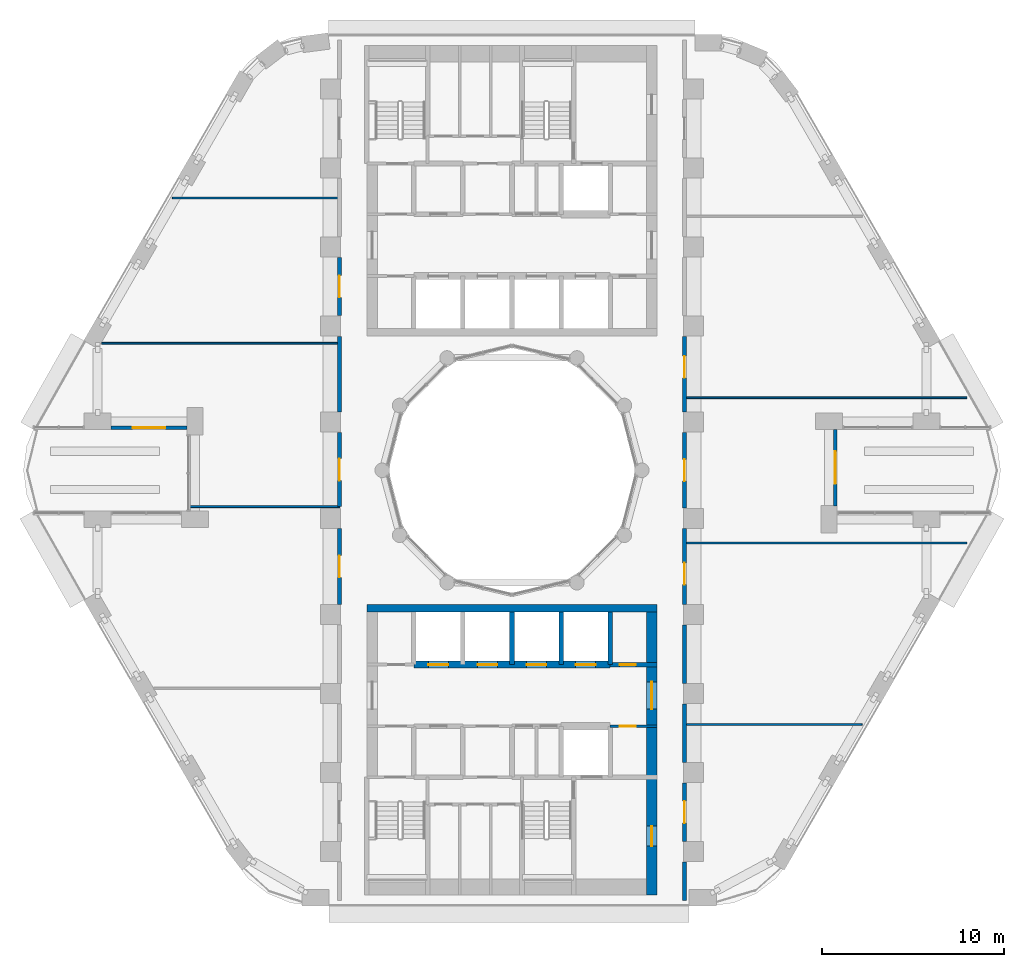
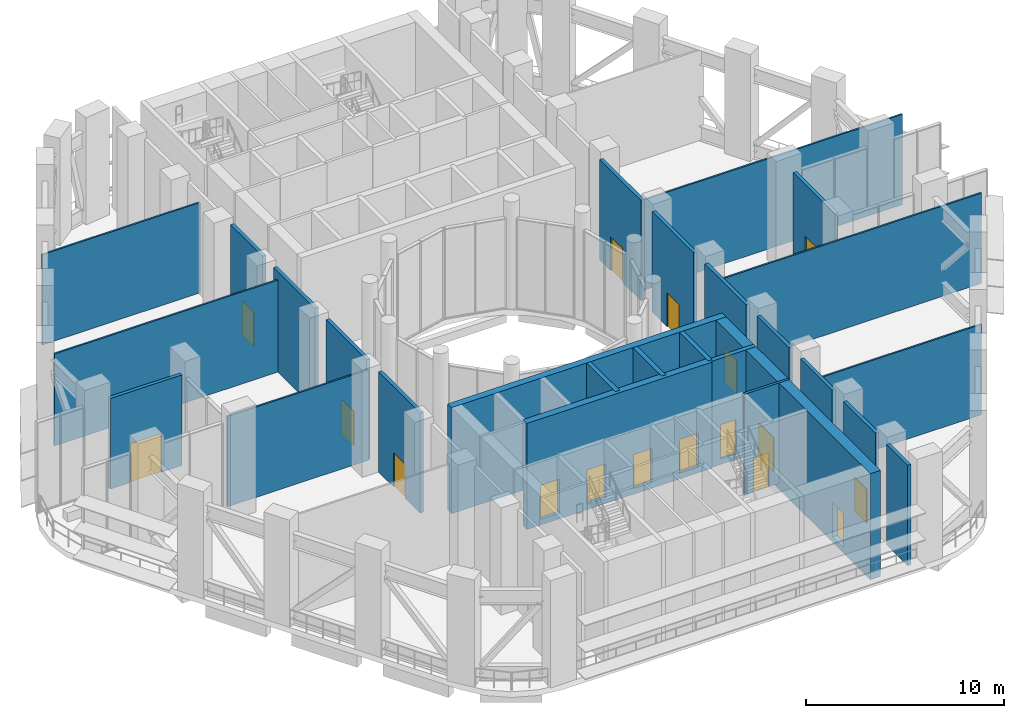
# One storey, part 9 of 20: 27 walls, 17 doors, 17 openings.
"""IFC4 building model written with IfcOpenShell, lengths in metres."""

import ifcopenshell
import ifcopenshell.guid

model = None  # the IFC model being written
_history = None  # IfcOwnerHistory: only IFC2X3 demands one
_inside = {}  # id of a spatial element -> (the spatial element, [elements in it])
_under = {}  # id of a project, library or spatial element -> (it, [spatial elements below it])
_declared = {}  # id of a project -> (the project, [libraries it declares])
_typed = {}  # id of a type object -> (the type object, [elements of that type])
_made_of = {}  # id of a material, layer set ... -> (it, [elements and type objects made of it])


def new_model(schema):
    """Start an empty IFC model of exactly this schema.

    Asked for "IFC4X3", IfcOpenShell would pick the latest addendum, in which some entities
    have other attributes; the version numbers below select the first issue.
    IFC2X3 requires an IfcOwnerHistory on every rooted entity: one is made here for all.
    """
    global model, _history
    if schema == "IFC4X3":
        model = ifcopenshell.file(schema_version=(4, 3, 0, 0))
    else:
        model = ifcopenshell.file(schema=schema)
    _inside.clear()
    _under.clear()
    _declared.clear()
    _typed.clear()
    _made_of.clear()
    _history = None
    if model.schema == "IFC2X3":
        org = make("IfcOrganization", Name="unknown")
        user = make(
            "IfcPersonAndOrganization",
            ThePerson=make("IfcPerson", FamilyName="unknown"),
            TheOrganization=org,
        )
        app = make(
            "IfcApplication",
            ApplicationDeveloper=org,
            Version="unknown",
            ApplicationFullName="unknown",
            ApplicationIdentifier="unknown",
        )
        _history = make(
            "IfcOwnerHistory",
            OwningUser=user,
            OwningApplication=app,
            ChangeAction="ADDED",
            CreationDate=0,
        )
    return model


def make(cls, **values):
    """One entity of the class cls with the attributes given. An attribute that is None is left unset."""
    return model.create_entity(
        cls, **{name: value for name, value in values.items() if value is not None}
    )


def rooted(cls, **values):
    """An entity with a GlobalId (a new one), such as an element, a storey or a relation."""
    return make(cls, GlobalId=ifcopenshell.guid.new(), OwnerHistory=_history, **values)


def si_unit(unit_type, name, prefix=None):
    """IfcSIUnit, for example si_unit("LENGTHUNIT", "METRE", prefix="MILLI")."""
    return make("IfcSIUnit", UnitType=unit_type, Prefix=prefix, Name=name)


def assignment(units):
    """IfcUnitAssignment: the units of a project."""
    return None if units is None else make("IfcUnitAssignment", Units=units)


def point(xyz):
    """IfcCartesianPoint."""
    return None if xyz is None else make("IfcCartesianPoint", Coordinates=xyz)


def direction(xyz):
    """IfcDirection."""
    return None if xyz is None else make("IfcDirection", DirectionRatios=xyz)


def frame(location, z_axis=None, x_axis=None):
    """IfcAxis2Placement3D, a coordinate frame: its origin and axes. An axis left out is left unset."""
    return make(
        "IfcAxis2Placement3D",
        Location=point(location),
        Axis=direction(z_axis),
        RefDirection=direction(x_axis),
    )


def frame_2d(location, x_axis=None):
    """IfcAxis2Placement2D, a coordinate frame in the plane: its origin and x axis."""
    return make(
        "IfcAxis2Placement2D", Location=point(location), RefDirection=direction(x_axis)
    )


def origin():
    """The frame at (0, 0, 0) with its axes left unset."""
    return frame((0.0, 0.0, 0.0))


def place(relative_to, where):
    """IfcLocalPlacement: puts the frame where relative to a parent placement (None: the world)."""
    return make(
        "IfcLocalPlacement", PlacementRelTo=relative_to, RelativePlacement=where
    )


def context(
    kind, dimensions, precision=None, world=None, true_north=None, identifier=None
):
    """IfcGeometricRepresentationContext, for example the 3D "Model" context."""
    return make(
        "IfcGeometricRepresentationContext",
        ContextIdentifier=identifier,
        ContextType=kind,
        CoordinateSpaceDimension=dimensions,
        Precision=precision,
        WorldCoordinateSystem=world,
        TrueNorth=true_north,
    )


def subcontext(parent, identifier, kind, view, scale=None):
    """IfcGeometricRepresentationSubContext, for example "Body" below "Model"."""
    return make(
        "IfcGeometricRepresentationSubContext",
        ContextIdentifier=identifier,
        ContextType=kind,
        ParentContext=parent,
        TargetScale=scale,
        TargetView=view,
    )


def project(units=None, contexts=None):
    """IfcProject with its units and contexts."""
    return rooted(
        "IfcProject",
        Name="project",
        RepresentationContexts=contexts,
        UnitsInContext=assignment(units),
    )


def spatial(cls, under=None, at=None, **own):
    """A site, building, storey or space (cls), placed at a placement, below another one or the project."""
    s = rooted(cls, ObjectPlacement=at, **own)
    if under is not None:
        _under.setdefault(under.id(), (under, []))[1].append(s)
    return s


def profile(cls, at=None, kind="AREA", **sizes):
    """A parametric profile (cls). Its sizes go by their IFC names, for example OverallWidth=200.0."""
    return make(cls, ProfileType=kind, Position=at, **sizes)


def rectangle(**sizes):
    """IfcRectangleProfileDef."""
    return profile("IfcRectangleProfileDef", **sizes)


def extrude(swept, where, along, depth):
    """IfcExtrudedAreaSolid: the profile swept, set in the frame where, extruded along a direction by depth."""
    return make(
        "IfcExtrudedAreaSolid",
        SweptArea=swept,
        Position=where,
        ExtrudedDirection=direction(along),
        Depth=depth,
    )


def shape(context_of_items, identifier, shape_type, items):
    """IfcShapeRepresentation: the items that make up one representation, for example the "Body"."""
    return make(
        "IfcShapeRepresentation",
        ContextOfItems=context_of_items,
        RepresentationIdentifier=identifier,
        RepresentationType=shape_type,
        Items=items,
    )


def material(Name=None, Category=None):
    """IfcMaterial."""
    return make("IfcMaterial", Name=Name, Category=Category)


def layer(
    of_material, thickness, ventilated=None, Name=None, Category=None, Priority=None
):
    """IfcMaterialLayer: one layer of a wall or slab, of a material (None: an air gap)."""
    return make(
        "IfcMaterialLayer",
        Material=of_material,
        LayerThickness=thickness,
        IsVentilated=ventilated,
        Name=Name,
        Category=Category,
        Priority=Priority,
    )


def layer_set(layers, Name=None):
    """IfcMaterialLayerSet."""
    return make("IfcMaterialLayerSet", MaterialLayers=layers, LayerSetName=Name)


def made_of(thing, what):
    """Note that an element or type object is made of a material, layer set ...; save() writes the relation."""
    if what is not None:
        _made_of.setdefault(what.id(), (what, []))[1].append(thing)
    return thing


def type_object(cls, material=None, **own):
    """A type object (cls), such as IfcWallType, which elements share."""
    return made_of(rooted(cls, **own), material)


def element(
    cls,
    number,
    at=None,
    inside=None,
    cuts=None,
    type_object=None,
    material=None,
    context=None,
    identifier="Body",
    shape_type=None,
    held_by="IfcProductDefinitionShape",
    body=None,
    shapes=None,
    **own,
):
    """One element of the class cls, such as IfcWall. Its Tag is "e" and its number.

    at: its placement. inside: the storey or other place that contains it. cuts: it is an
    opening in that element (IfcRelVoidsElement). A single representation is given by context,
    identifier, shape_type and body (its items); several are given by shapes. held_by: the class
    of the entity that holds the representations. save() writes the other relations.
    """
    e = rooted(cls, Tag="e%d" % number, ObjectPlacement=at, **own)
    if body is not None:
        shapes = [shape(context, identifier, shape_type, body)]
    if shapes is not None:
        e.Representation = make(held_by, Representations=shapes)
    if inside is not None:
        _inside.setdefault(inside.id(), (inside, []))[1].append(e)
    if cuts is not None:
        rooted(
            "IfcRelVoidsElement", RelatingBuildingElement=cuts, RelatedOpeningElement=e
        )
    if type_object is not None:
        _typed.setdefault(type_object.id(), (type_object, []))[1].append(e)
    return made_of(e, material)


def fill(opening, filler):
    """IfcRelFillsElement: the door or window that sits in an opening."""
    return rooted(
        "IfcRelFillsElement",
        RelatingOpeningElement=opening,
        RelatedBuildingElement=filler,
    )


def aggregate(whole, parts):
    """IfcRelAggregates: a whole, such as a stair, and the parts it consists of."""
    return rooted("IfcRelAggregates", RelatingObject=whole, RelatedObjects=parts)


def save(model, path):
    """Write the relations noted so far, then the file.

    IfcRelAggregates (storeys below a building ...), IfcRelContainedInSpatialStructure (elements
    in a storey), IfcRelDefinesByType, IfcRelAssociatesMaterial and IfcRelDeclares: one each for
    every whole, place, type object, material and project.
    """
    for whole, parts in _under.values():
        aggregate(whole, parts)
    for where, things in _inside.values():
        rooted(
            "IfcRelContainedInSpatialStructure",
            RelatedElements=things,
            RelatingStructure=where,
        )
    for kind, things in _typed.values():
        rooted("IfcRelDefinesByType", RelatedObjects=things, RelatingType=kind)
    for what, things in _made_of.values():
        rooted("IfcRelAssociatesMaterial", RelatedObjects=things, RelatingMaterial=what)
    for by, libraries in _declared.values():
        rooted("IfcRelDeclares", RelatingContext=by, RelatedDefinitions=libraries)
    model.write(path)


model = new_model("IFC4")

# Units and contexts
model_context = context("Model", 3, precision=1e-05, world=origin(), true_north=direction((0.0, 1.0)))
body_context = subcontext(model_context, "Body", "Model", "MODEL_VIEW")
ifc_project = project(units=[si_unit("LENGTHUNIT", "METRE"), si_unit("AREAUNIT", "SQUARE_METRE"), si_unit("VOLUMEUNIT", "CUBIC_METRE"), si_unit("PLANEANGLEUNIT", "RADIAN"), si_unit("MASSUNIT", "GRAM", prefix="KILO")], contexts=[model_context])

# Site, building, storey
site_placement = place(None, origin())
site = spatial("IfcSite", under=ifc_project, at=site_placement, CompositionType="ELEMENT")
building_placement = place(site_placement, origin())
building = spatial("IfcBuilding", under=site, at=building_placement, Name="Nakaniwa Court", CompositionType="ELEMENT")
storey_placement = place(building_placement, frame((0.0, 0.0, 71.10009765625)))
storey = spatial("IfcBuildingStorey", under=building, at=storey_placement, Name="S1", CompositionType="ELEMENT", Elevation=71.10009765625)

# Wall
ifc_material_1 = material(Name="Acoustic double stud partition")
ifc_layer_1 = layer(ifc_material_1, 0.199951171875)
ifc_layer_set_1 = layer_set([ifc_layer_1], Name="Acoustic double stud partition")
wall_type_1 = type_object("IfcWallType", Name="Acoustic double stud partition 200", PredefinedType="PARTITIONING", material=ifc_layer_set_1)
wall_1_placement = place(storey_placement, frame((89.5, 56.300048828125, 0.0), z_axis=(0.0, 0.0, 1.0), x_axis=(0.0, 1.0, 0.0)))
element("IfcWall", 1, at=wall_1_placement, inside=storey, type_object=wall_type_1, Name="Partition PW-071", PredefinedType="PARTITIONING", context=body_context, shape_type="SweptSolid", body=[
    extrude(rectangle(XDim=2.133056640625, YDim=0.199951171875, at=frame_2d((1.06640625, 0.0))), origin(), (0.0, 0.0, 1.0), 6.18994140625),
])

# Wall, opening, door
wall_2_placement = place(storey_placement, frame((89.5, 62.782958984375, 0.0), z_axis=(0.0, 0.0, 1.0), x_axis=(0.0, -1.0, 0.0)))
wall_2 = element("IfcWall", 2, at=wall_2_placement, inside=storey, type_object=wall_type_1, Name="Partition PW-072", PredefinedType="PARTITIONING", context=body_context, shape_type="SweptSolid", body=[
    extrude(rectangle(XDim=3.216064453125, YDim=0.199951171875, at=frame_2d((1.60791015625, 0.0))), origin(), (0.0, 0.0, 1.0), 6.18994140625),
])
opening_1_placement = place(wall_2_placement, frame((1.008056640625, 0.0, 0.0)))
opening_1 = element("IfcOpeningElement", 3, at=opening_1_placement, cuts=wall_2, Name="Opening D-35-01", PredefinedType="OPENING", context=body_context, shape_type="SweptSolid", body=[
    extrude(rectangle(XDim=1.199951171875, YDim=2.10009765625, at=frame_2d((0.60009765625, 1.050048828125))), frame((0.0, 0.10986328125, 0.0), z_axis=(0.0, -1.0, 0.0), x_axis=(1.0, 0.0, 0.0)), (0.0, 0.0, 1.0), 0.219970703125),
])
ifc_material_2 = material(Name="Fire rated steel door set", Category="steel")
door_type_1 = type_object("IfcDoorType", Name="Service room door 1200", OperationType="NOTDEFINED", PredefinedType="DOOR", material=ifc_material_2)
door_1_placement = place(opening_1_placement, origin())
door_1 = element("IfcDoor", 4, at=door_1_placement, inside=storey, type_object=door_type_1, Name="Door D-35-01 S1-029", OperationType="SINGLE_SWING_RIGHT", OverallHeight=2.10009765625, OverallWidth=1.199951171875, PredefinedType="DOOR", context=body_context, shape_type="SweptSolid", body=[
    extrude(rectangle(XDim=1.199951171875, YDim=2.10009765625, at=frame_2d((0.60009765625, 1.050048828125))), frame((0.0, 0.02490234375, 0.0), z_axis=(0.0, -1.0, 0.0), x_axis=(1.0, 0.0, 0.0)), (0.0, 0.0, 1.0), 0.050048828125),
])
fill(opening_1, door_1)

# Walls
wall_3_placement = place(storey_placement, frame((89.5, 63.9169921875, 0.0), z_axis=(0.0, 0.0, 1.0), x_axis=(0.0, 1.0, 0.0)))
element("IfcWall", 5, at=wall_3_placement, inside=storey, type_object=wall_type_1, Name="Partition PW-073", PredefinedType="PARTITIONING", context=body_context, shape_type="SweptSolid", body=[
    extrude(rectangle(XDim=3.216064453125, YDim=0.199951171875, at=frame_2d((1.60791015625, 0.0))), origin(), (0.0, 0.0, 1.0), 6.18994140625),
])
wall_4_placement = place(storey_placement, frame((89.5, 68.26708984375, 0.0), z_axis=(0.0, 0.0, 1.0), x_axis=(0.0, 1.0, 0.0)))
element("IfcWall", 6, at=wall_4_placement, inside=storey, type_object=wall_type_1, Name="Partition PW-074", PredefinedType="PARTITIONING", context=body_context, shape_type="SweptSolid", body=[
    extrude(rectangle(XDim=3.2158203125, YDim=0.199951171875, at=frame_2d((1.60791015625, 0.0))), origin(), (0.0, 0.0, 1.0), 6.18994140625),
])

# Wall, opening, door
wall_5_placement = place(storey_placement, frame((89.5, 76.782958984375, 0.0), z_axis=(0.0, 0.0, 1.0), x_axis=(0.0, -1.0, 0.0)))
wall_5 = element("IfcWall", 7, at=wall_5_placement, inside=storey, type_object=wall_type_1, Name="Partition PW-075", PredefinedType="PARTITIONING", context=body_context, shape_type="SweptSolid", body=[
    extrude(rectangle(XDim=4.166015625, YDim=0.199951171875, at=frame_2d((2.0830078125, 0.0))), origin(), (0.0, 0.0, 1.0), 6.18994140625),
])
opening_2_placement = place(wall_5_placement, frame((1.873046875, 0.0, 0.0)))
opening_2 = element("IfcOpeningElement", 8, at=opening_2_placement, cuts=wall_5, Name="Opening D-30-01", PredefinedType="OPENING", context=body_context, shape_type="SweptSolid", body=[
    extrude(rectangle(XDim=1.199951171875, YDim=2.10009765625, at=frame_2d((0.60009765625, 1.050048828125))), frame((0.0, 0.10986328125, 0.0), z_axis=(0.0, -1.0, 0.0), x_axis=(1.0, 0.0, 0.0)), (0.0, 0.0, 1.0), 0.219970703125),
])
ifc_material_3 = material(Name="Solid core timber door set, black veneer", Category="wood")
door_type_2 = type_object("IfcDoorType", Name="Internal door 1200", OperationType="NOTDEFINED", PredefinedType="DOOR", material=ifc_material_3)
door_2_placement = place(opening_2_placement, origin())
door_2 = element("IfcDoor", 9, at=door_2_placement, inside=storey, type_object=door_type_2, Name="Door D-30-01 S1-030", OperationType="SINGLE_SWING_LEFT", OverallHeight=2.10009765625, OverallWidth=1.199951171875, PredefinedType="DOOR", context=body_context, shape_type="SweptSolid", body=[
    extrude(rectangle(XDim=1.199951171875, YDim=2.10009765625, at=frame_2d((0.60009765625, 1.050048828125))), frame((0.0, 0.02490234375, 0.0), z_axis=(0.0, -1.0, 0.0), x_axis=(1.0, 0.0, 0.0)), (0.0, 0.0, 1.0), 0.050048828125),
])
fill(opening_2, door_2)

wall_6_placement = place(storey_placement, frame((89.5, 82.0830078125, 0.0), z_axis=(0.0, 0.0, 1.0), x_axis=(0.0, -1.0, 0.0)))
wall_6 = element("IfcWall", 10, at=wall_6_placement, inside=storey, type_object=wall_type_1, Name="Partition PW-076", PredefinedType="PARTITIONING", context=body_context, shape_type="SweptSolid", body=[
    extrude(rectangle(XDim=4.166015625, YDim=0.199951171875, at=frame_2d((2.0830078125, 0.0))), origin(), (0.0, 0.0, 1.0), 6.18994140625),
])
opening_3_placement = place(wall_6_placement, frame((1.48291015625, 0.0, 0.0)))
opening_3 = element("IfcOpeningElement", 11, at=opening_3_placement, cuts=wall_6, Name="Opening D-30-02", PredefinedType="OPENING", context=body_context, shape_type="SweptSolid", body=[
    extrude(rectangle(XDim=1.199951171875, YDim=2.10009765625, at=frame_2d((0.60009765625, 1.050048828125))), frame((0.0, 0.10986328125, 0.0), z_axis=(0.0, -1.0, 0.0), x_axis=(1.0, 0.0, 0.0)), (0.0, 0.0, 1.0), 0.219970703125),
])
door_3_placement = place(opening_3_placement, origin())
door_3 = element("IfcDoor", 12, at=door_3_placement, inside=storey, type_object=door_type_2, Name="Door D-30-02 S1-031", OperationType="SINGLE_SWING_RIGHT", OverallHeight=2.10009765625, OverallWidth=1.199951171875, PredefinedType="DOOR", context=body_context, shape_type="SweptSolid", body=[
    extrude(rectangle(XDim=1.199951171875, YDim=2.10009765625, at=frame_2d((0.60009765625, 1.050048828125))), frame((0.0, 0.02490234375, 0.0), z_axis=(0.0, -1.0, 0.0), x_axis=(1.0, 0.0, 0.0)), (0.0, 0.0, 1.0), 0.050048828125),
])
fill(opening_3, door_3)

wall_7_placement = place(storey_placement, frame((89.5, 87.383056640625, 0.0), z_axis=(0.0, 0.0, 1.0), x_axis=(0.0, -1.0, 0.0)))
wall_7 = element("IfcWall", 13, at=wall_7_placement, inside=storey, type_object=wall_type_1, Name="Partition PW-077", PredefinedType="PARTITIONING", context=body_context, shape_type="SweptSolid", body=[
    extrude(rectangle(XDim=4.166015625, YDim=0.199951171875, at=frame_2d((2.0830078125, 0.0))), origin(), (0.0, 0.0, 1.0), 6.18994140625),
])
opening_4_placement = place(wall_7_placement, frame((1.093017578125, 0.0, 0.0)))
opening_4 = element("IfcOpeningElement", 14, at=opening_4_placement, cuts=wall_7, Name="Opening D-35-02", PredefinedType="OPENING", context=body_context, shape_type="SweptSolid", body=[
    extrude(rectangle(XDim=1.199951171875, YDim=2.10009765625, at=frame_2d((0.60009765625, 1.050048828125))), frame((0.0, 0.10986328125, 0.0), z_axis=(0.0, -1.0, 0.0), x_axis=(1.0, 0.0, 0.0)), (0.0, 0.0, 1.0), 0.219970703125),
])
door_4_placement = place(opening_4_placement, origin())
door_4 = element("IfcDoor", 15, at=door_4_placement, inside=storey, type_object=door_type_1, Name="Door D-35-02 S1-032", OperationType="SINGLE_SWING_LEFT", OverallHeight=2.10009765625, OverallWidth=1.199951171875, PredefinedType="DOOR", context=body_context, shape_type="SweptSolid", body=[
    extrude(rectangle(XDim=1.199951171875, YDim=2.10009765625, at=frame_2d((0.60009765625, 1.050048828125))), frame((0.0, 0.02490234375, 0.0), z_axis=(0.0, -1.0, 0.0), x_axis=(1.0, 0.0, 0.0)), (0.0, 0.0, 1.0), 0.050048828125),
])
fill(opening_4, door_4)

wall_8_placement = place(storey_placement, frame((70.5, 72.616943359375, 0.0), z_axis=(0.0, 0.0, 1.0), x_axis=(0.0, 1.0, 0.0)))
wall_8 = element("IfcWall", 16, at=wall_8_placement, inside=storey, type_object=wall_type_1, Name="Partition PW-090", PredefinedType="PARTITIONING", context=body_context, shape_type="SweptSolid", body=[
    extrude(rectangle(XDim=4.166015625, YDim=0.199951171875, at=frame_2d((2.0830078125, 0.0))), origin(), (0.0, 0.0, 1.0), 6.18994140625),
])
opening_5_placement = place(wall_8_placement, frame((1.48291015625, 0.0, 0.0)))
opening_5 = element("IfcOpeningElement", 17, at=opening_5_placement, cuts=wall_8, Name="Opening D-30-04", PredefinedType="OPENING", context=body_context, shape_type="SweptSolid", body=[
    extrude(rectangle(XDim=1.199951171875, YDim=2.10009765625, at=frame_2d((0.60009765625, 1.050048828125))), frame((0.0, 0.10986328125, 0.0), z_axis=(0.0, -1.0, 0.0), x_axis=(1.0, 0.0, 0.0)), (0.0, 0.0, 1.0), 0.219970703125),
])
door_5_placement = place(opening_5_placement, origin())
door_5 = element("IfcDoor", 18, at=door_5_placement, inside=storey, type_object=door_type_2, Name="Door D-30-04 S1-035", OperationType="SINGLE_SWING_RIGHT", OverallHeight=2.10009765625, OverallWidth=1.199951171875, PredefinedType="DOOR", context=body_context, shape_type="SweptSolid", body=[
    extrude(rectangle(XDim=1.199951171875, YDim=2.10009765625, at=frame_2d((0.60009765625, 1.050048828125))), frame((0.0, 0.02490234375, 0.0), z_axis=(0.0, -1.0, 0.0), x_axis=(1.0, 0.0, 0.0)), (0.0, 0.0, 1.0), 0.050048828125),
])
fill(opening_5, door_5)

wall_9_placement = place(storey_placement, frame((70.5, 77.9970703125, 0.0), z_axis=(0.0, 0.0, 1.0), x_axis=(0.0, 1.0, 0.0)))
wall_9 = element("IfcWall", 19, at=wall_9_placement, inside=storey, type_object=wall_type_1, Name="Partition PW-091", PredefinedType="PARTITIONING", context=body_context, shape_type="SweptSolid", body=[
    extrude(rectangle(XDim=4.0859375, YDim=0.199951171875, at=frame_2d((2.04296875, 0.0))), origin(), (0.0, 0.0, 1.0), 6.18994140625),
])
opening_6_placement = place(wall_9_placement, frame((1.443115234375, 0.0, 0.0)))
opening_6 = element("IfcOpeningElement", 20, at=opening_6_placement, cuts=wall_9, Name="Opening D-30-05", PredefinedType="OPENING", context=body_context, shape_type="SweptSolid", body=[
    extrude(rectangle(XDim=1.199951171875, YDim=2.10009765625, at=frame_2d((0.60009765625, 1.050048828125))), frame((0.0, 0.10986328125, 0.0), z_axis=(0.0, -1.0, 0.0), x_axis=(1.0, 0.0, 0.0)), (0.0, 0.0, 1.0), 0.219970703125),
])
door_6_placement = place(opening_6_placement, origin())
door_6 = element("IfcDoor", 21, at=door_6_placement, inside=storey, type_object=door_type_2, Name="Door D-30-05 S1-036", OperationType="SINGLE_SWING_LEFT", OverallHeight=2.10009765625, OverallWidth=1.199951171875, PredefinedType="DOOR", context=body_context, shape_type="SweptSolid", body=[
    extrude(rectangle(XDim=1.199951171875, YDim=2.10009765625, at=frame_2d((0.60009765625, 1.050048828125))), frame((0.0, 0.02490234375, 0.0), z_axis=(0.0, -1.0, 0.0), x_axis=(1.0, 0.0, 0.0)), (0.0, 0.0, 1.0), 0.050048828125),
])
fill(opening_6, door_6)

# Wall
wall_10_placement = place(storey_placement, frame((70.5, 83.217041015625, 0.0), z_axis=(0.0, 0.0, 1.0), x_axis=(0.0, 1.0, 0.0)))
element("IfcWall", 22, at=wall_10_placement, inside=storey, type_object=wall_type_1, Name="Partition PW-092", PredefinedType="PARTITIONING", context=body_context, shape_type="SweptSolid", body=[
    extrude(rectangle(XDim=4.166015625, YDim=0.199951171875, at=frame_2d((2.0830078125, 0.0))), origin(), (0.0, 0.0, 1.0), 6.18994140625),
])

# Wall, opening, door
wall_11_placement = place(storey_placement, frame((70.5, 88.51708984375, 0.0), z_axis=(0.0, 0.0, 1.0), x_axis=(0.0, 1.0, 0.0)))
wall_11 = element("IfcWall", 23, at=wall_11_placement, inside=storey, type_object=wall_type_1, Name="Partition PW-093", PredefinedType="PARTITIONING", context=body_context, shape_type="SweptSolid", body=[
    extrude(rectangle(XDim=3.2158203125, YDim=0.199951171875, at=frame_2d((1.60791015625, 0.0))), origin(), (0.0, 0.0, 1.0), 6.18994140625),
])
opening_7_placement = place(wall_11_placement, frame((1.008056640625, 0.0, 0.0)))
opening_7 = element("IfcOpeningElement", 24, at=opening_7_placement, cuts=wall_11, Name="Opening D-35-04", PredefinedType="OPENING", context=body_context, shape_type="SweptSolid", body=[
    extrude(rectangle(XDim=1.199951171875, YDim=2.10009765625, at=frame_2d((0.60009765625, 1.050048828125))), frame((0.0, 0.10986328125, 0.0), z_axis=(0.0, -1.0, 0.0), x_axis=(1.0, 0.0, 0.0)), (0.0, 0.0, 1.0), 0.219970703125),
])
door_7_placement = place(opening_7_placement, origin())
door_7 = element("IfcDoor", 25, at=door_7_placement, inside=storey, type_object=door_type_1, Name="Door D-35-04 S1-037", OperationType="SINGLE_SWING_RIGHT", OverallHeight=2.10009765625, OverallWidth=1.199951171875, PredefinedType="DOOR", context=body_context, shape_type="SweptSolid", body=[
    extrude(rectangle(XDim=1.199951171875, YDim=2.10009765625, at=frame_2d((0.60009765625, 1.050048828125))), frame((0.0, 0.02490234375, 0.0), z_axis=(0.0, -1.0, 0.0), x_axis=(1.0, 0.0, 0.0)), (0.0, 0.0, 1.0), 0.050048828125),
])
fill(opening_7, door_7)

ifc_material_4 = material(Name="Charcoal ceramic cladding")
ifc_layer_2 = layer(ifc_material_4, 0.02, Name="Ceramic cladding")
ifc_material_5 = material(Name="Ventilated air cavity")
ifc_layer_3 = layer(ifc_material_5, 0.04, ventilated=True, Name="Ventilated cavity")
ifc_material_6 = material(Name="Mineral wool insulation")
ifc_layer_4 = layer(ifc_material_6, 0.05, Name="Insulation")
ifc_material_7 = material(Name="Cement bonded sheathing board")
ifc_layer_5 = layer(ifc_material_7, 0.012, Name="Sheathing")
ifc_material_8 = material(Name="Cold-formed galvanised stud frame with mineral wool infill")
ifc_layer_6 = layer(ifc_material_8, 0.05, Name="Stud frame")
ifc_material_9 = material(Name="Fire-rated gypsum plasterboard lining")
ifc_layer_7 = layer(ifc_material_9, 0.028, Name="Lining")
ifc_layer_set_2 = layer_set([ifc_layer_2, ifc_layer_3, ifc_layer_4, ifc_layer_5, ifc_layer_6, ifc_layer_7], Name="Charcoal ceramic faced external wall system")
wall_type_2 = type_object("IfcWallType", Name="Black ceramic faced external wall 200", PredefinedType="SOLIDWALL", material=ifc_layer_set_2)
wall_12_placement = place(storey_placement, frame((57.923095703125, 82.35009765625, 0.0), z_axis=(0.0, 0.0, 1.0), x_axis=(1.0, 0.0, 0.0)))
wall_12 = element("IfcWall", 26, at=wall_12_placement, inside=storey, type_object=wall_type_2, Name="S1 sky garden terrace wall 1", PredefinedType="SOLIDWALL", context=body_context, shape_type="SweptSolid", body=[
    extrude(rectangle(XDim=4.172607421875, YDim=0.199951171875, at=frame_2d((2.08642578125, 0.0))), origin(), (0.0, 0.0, 1.0), 5.58984375),
])
opening_8_placement = place(wall_12_placement, frame((1.186279296875, 0.0, 0.0)))
opening_8 = element("IfcOpeningElement", 27, at=opening_8_placement, cuts=wall_12, Name="Opening XD11.01", PredefinedType="OPENING", context=body_context, shape_type="SweptSolid", body=[
    extrude(rectangle(XDim=1.800048828125, YDim=2.39990234375, at=frame_2d((0.89990234375, 1.199951171875))), frame((0.0, 0.10986328125, 0.0), z_axis=(0.0, -1.0, 0.0), x_axis=(1.0, 0.0, 0.0)), (0.0, 0.0, 1.0), 0.219970703125),
])
ifc_material_10 = material(Name="Black powder-coated aluminium frame with dark laminated glass", Category="aluminium")
door_type_3 = type_object("IfcDoorType", Name="Terrace double door 1800x2400", OperationType="DOUBLE_DOOR_SINGLE_SWING", PredefinedType="DOOR", material=ifc_material_10)
door_8_placement = place(opening_8_placement, origin())
door_8 = element("IfcDoor", 28, at=door_8_placement, inside=storey, type_object=door_type_3, Name="S1 terrace double door t1", OperationType="DOUBLE_DOOR_SINGLE_SWING", OverallHeight=2.39990234375, OverallWidth=1.800048828125, PredefinedType="DOOR", context=body_context, shape_type="SweptSolid", body=[
    extrude(rectangle(XDim=1.800048828125, YDim=2.39990234375, at=frame_2d((0.89990234375, 1.199951171875))), frame((0.0, 0.02490234375, 0.0), z_axis=(0.0, -1.0, 0.0), x_axis=(1.0, 0.0, 0.0)), (0.0, 0.0, 1.0), 0.050048828125),
])
fill(opening_8, door_8)

wall_13_placement = place(storey_placement, frame((97.808349609375, 78.0458984375, 0.0), z_axis=(0.0, 0.0, 1.0), x_axis=(0.0, 1.0, 0.0)))
wall_13 = element("IfcWall", 29, at=wall_13_placement, inside=storey, type_object=wall_type_2, Name="S1 sky garden terrace wall 2", PredefinedType="SOLIDWALL", context=body_context, shape_type="SweptSolid", body=[
    extrude(rectangle(XDim=4.2080078125, YDim=0.199951171875, at=frame_2d((2.10400390625, 0.0))), origin(), (0.0, 0.0, 1.0), 5.58984375),
])
opening_9_placement = place(wall_13_placement, frame((1.2041015625, 0.0, 0.0)))
opening_9 = element("IfcOpeningElement", 30, at=opening_9_placement, cuts=wall_13, Name="Opening XD11.02", PredefinedType="OPENING", context=body_context, shape_type="SweptSolid", body=[
    extrude(rectangle(XDim=1.800048828125, YDim=2.39990234375, at=frame_2d((0.89990234375, 1.199951171875))), frame((0.0, 0.10986328125, 0.0), z_axis=(0.0, -1.0, 0.0), x_axis=(1.0, 0.0, 0.0)), (0.0, 0.0, 1.0), 0.219970703125),
])
door_9_placement = place(opening_9_placement, frame((1.800048828125, 0.0, 0.0), z_axis=(0.0, 0.0, 1.0), x_axis=(-1.0, 0.0, 0.0)))
door_9 = element("IfcDoor", 31, at=door_9_placement, inside=storey, type_object=door_type_3, Name="S1 terrace double door t2", OperationType="DOUBLE_DOOR_SINGLE_SWING", OverallHeight=2.39990234375, OverallWidth=1.800048828125, PredefinedType="DOOR", context=body_context, shape_type="SweptSolid", body=[
    extrude(rectangle(XDim=1.800048828125, YDim=2.39990234375, at=frame_2d((0.89990234375, 1.199951171875))), frame((0.0, 0.02490234375, 0.0), z_axis=(0.0, -1.0, 0.0), x_axis=(1.0, 0.0, 0.0)), (0.0, 0.0, 1.0), 0.050048828125),
])
fill(opening_9, door_9)

ifc_material_11 = material(Name="Blockwork partition", Category="masonry")
ifc_layer_8 = layer(ifc_material_11, 0.14990234375)
ifc_layer_set_3 = layer_set([ifc_layer_8], Name="Blockwork partition")
wall_type_3 = type_object("IfcWallType", Name="Blockwork partition 150", PredefinedType="PARTITIONING", material=ifc_layer_set_3)
wall_14_placement = place(storey_placement, frame((88.0, 65.89990234375, 0.0), z_axis=(0.0, 0.0, 1.0), x_axis=(-1.0, 0.0, 0.0)))
wall_14 = element("IfcWall", 32, at=wall_14_placement, inside=storey, type_object=wall_type_3, Name="Partition PW-053", PredefinedType="PARTITIONING", context=body_context, shape_type="SweptSolid", body=[
    extrude(rectangle(XDim=2.60302734375, YDim=0.14990234375, at=frame_2d((1.301513671875, 0.0))), origin(), (0.0, 0.0, 1.0), 6.18994140625),
])
opening_10_placement = place(wall_14_placement, frame((1.175048828125, 0.0, 0.0)))
opening_10 = element("IfcOpeningElement", 33, at=opening_10_placement, cuts=wall_14, Name="Opening D-05-15", PredefinedType="OPENING", context=body_context, shape_type="SweptSolid", body=[
    extrude(rectangle(XDim=0.89990234375, YDim=2.10009765625, at=frame_2d((0.449951171875, 1.050048828125))), frame((0.0, 0.0849609375, 0.0), z_axis=(0.0, -1.0, 0.0), x_axis=(1.0, 0.0, 0.0)), (0.0, 0.0, 1.0), 0.169921875),
])
door_type_4 = type_object("IfcDoorType", Name="Service room door 900", OperationType="NOTDEFINED", PredefinedType="DOOR", material=ifc_material_2)
door_10_placement = place(opening_10_placement, origin())
door_10 = element("IfcDoor", 34, at=door_10_placement, inside=storey, type_object=door_type_4, Name="Door D-05-15 S1-022", OperationType="SINGLE_SWING_LEFT", OverallHeight=2.10009765625, OverallWidth=0.89990234375, PredefinedType="DOOR", context=body_context, shape_type="SweptSolid", body=[
    extrude(rectangle(XDim=0.89990234375, YDim=2.10009765625, at=frame_2d((0.449951171875, 1.050048828125))), frame((0.0, 0.02490234375, 0.0), z_axis=(0.0, -1.0, 0.0), x_axis=(1.0, 0.0, 0.0)), (0.0, 0.0, 1.0), 0.050048828125),
])
fill(opening_10, door_10)

# Wall, openings, doors
ifc_material_12 = material(Name="Concrete C100/115", Category="concrete")
ifc_layer_9 = layer(ifc_material_12, 0.60009765625)
ifc_layer_set_4 = layer_set([ifc_layer_9], Name="Concrete C100/115")
wall_type_4 = type_object("IfcWallType", Name="Concrete core side wall 600 C100", PredefinedType="SHEAR", material=ifc_layer_set_4)
wall_15_placement = place(storey_placement, frame((87.699951171875, 72.199951171875, -0.35009765625), z_axis=(0.0, 0.0, 1.0), x_axis=(0.0, -1.0, 0.0)))
wall_15 = element("IfcWall", 35, at=wall_15_placement, inside=storey, type_object=wall_type_4, Name="Core wall SW-50", PredefinedType="SHEAR", context=body_context, shape_type="SweptSolid", body=[
    extrude(rectangle(XDim=15.599853515625, YDim=0.60009765625, at=frame_2d((7.7998046875, 0.0))), origin(), (0.0, 0.0, 1.0), 6.5400390625),
])
opening_11_placement = place(wall_15_placement, frame((3.85009765625, 0.0, 0.35009765625)))
opening_11 = element("IfcOpeningElement", 36, at=opening_11_placement, cuts=wall_15, Name="Opening D-07-03", PredefinedType="OPENING", context=body_context, shape_type="SweptSolid", body=[
    extrude(rectangle(XDim=1.5, YDim=2.10009765625, at=frame_2d((0.75, 1.050048828125))), frame((0.0, 0.31005859375, 0.0), z_axis=(0.0, -1.0, 0.0), x_axis=(1.0, 0.0, 0.0)), (0.0, 0.0, 1.0), 0.6201171875),
])
opening_12_placement = place(wall_15_placement, frame((11.800048828125, 0.0, 0.35009765625)))
opening_12 = element("IfcOpeningElement", 37, at=opening_12_placement, cuts=wall_15, Name="Opening D-10-02", PredefinedType="OPENING", context=body_context, shape_type="SweptSolid", body=[
    extrude(rectangle(XDim=1.10009765625, YDim=2.10009765625, at=frame_2d((0.550048828125, 1.050048828125))), frame((0.0, 0.31005859375, 0.0), z_axis=(0.0, -1.0, 0.0), x_axis=(1.0, 0.0, 0.0)), (0.0, 0.0, 1.0), 0.6201171875),
])
door_type_5 = type_object("IfcDoorType", Name="Firefighting lobby door 1100", OperationType="NOTDEFINED", PredefinedType="DOOR", material=ifc_material_2)
door_11_placement = place(opening_12_placement, origin())
door_11 = element("IfcDoor", 38, at=door_11_placement, inside=storey, type_object=door_type_5, Name="Door D-10-02 S1-044", OperationType="SINGLE_SWING_LEFT", OverallHeight=2.10009765625, OverallWidth=1.10009765625, PredefinedType="DOOR", context=body_context, shape_type="SweptSolid", body=[
    extrude(rectangle(XDim=1.10009765625, YDim=2.10009765625, at=frame_2d((0.550048828125, 1.050048828125))), frame((0.0, 0.02490234375, 0.0), z_axis=(0.0, -1.0, 0.0), x_axis=(1.0, 0.0, 0.0)), (0.0, 0.0, 1.0), 0.050048828125),
])
fill(opening_12, door_11)
ifc_material_13 = material(Name="Glazed fire rated steel double door set", Category="steel")
door_type_6 = type_object("IfcDoorType", Name="Lobby double door 1500", OperationType="NOTDEFINED", PredefinedType="DOOR", material=ifc_material_13)
door_12_placement = place(opening_11_placement, origin())
door_12 = element("IfcDoor", 39, at=door_12_placement, inside=storey, type_object=door_type_6, Name="Door D-07-03 S1-042", OperationType="DOUBLE_DOOR_SINGLE_SWING", OverallHeight=2.10009765625, OverallWidth=1.5, PredefinedType="DOOR", context=body_context, shape_type="SweptSolid", body=[
    extrude(rectangle(XDim=1.5, YDim=2.10009765625, at=frame_2d((0.75, 1.050048828125))), frame((0.0, 0.02490234375, 0.0), z_axis=(0.0, -1.0, 0.0), x_axis=(1.0, 0.0, 0.0)), (0.0, 0.0, 1.0), 0.050048828125),
])
fill(opening_11, door_12)

ifc_layer_10 = layer(ifc_material_12, 0.39990234375)
ifc_layer_set_5 = layer_set([ifc_layer_10], Name="Concrete C100/115")
wall_type_5 = type_object("IfcWallType", Name="Concrete core spine wall 400 C100", PredefinedType="SHEAR", material=ifc_layer_set_5)
wall_16_placement = place(storey_placement, frame((74.60009765625, 69.300048828125, -0.35009765625), z_axis=(0.0, 0.0, 1.0), x_axis=(1.0, 0.0, 0.0)))
wall_16 = element("IfcWall", 40, at=wall_16_placement, inside=storey, type_object=wall_type_5, Name="Core wall SW-42", PredefinedType="SHEAR", context=body_context, shape_type="SweptSolid", body=[
    extrude(rectangle(XDim=10.7998046875, YDim=0.39990234375, at=frame_2d((5.39990234375, 0.0))), origin(), (0.0, 0.0, 1.0), 6.5400390625),
])
opening_13_placement = place(wall_16_placement, frame((0.800048828125, 0.0, 0.35009765625)))
opening_13 = element("IfcOpeningElement", 41, at=opening_13_placement, cuts=wall_16, Name="Opening LD06", PredefinedType="OPENING", context=body_context, shape_type="SweptSolid", body=[
    extrude(rectangle(XDim=1.10009765625, YDim=2.10009765625, at=frame_2d((0.550048828125, 1.050048828125))), frame((0.0, 0.2099609375, 0.0), z_axis=(0.0, -1.0, 0.0), x_axis=(1.0, 0.0, 0.0)), (0.0, 0.0, 1.0), 0.419921875),
])
opening_14_placement = place(wall_16_placement, frame((3.5, 0.0, 0.35009765625)))
opening_14 = element("IfcOpeningElement", 42, at=opening_14_placement, cuts=wall_16, Name="Opening LD07", PredefinedType="OPENING", context=body_context, shape_type="SweptSolid", body=[
    extrude(rectangle(XDim=1.10009765625, YDim=2.10009765625, at=frame_2d((0.550048828125, 1.050048828125))), frame((0.0, 0.2099609375, 0.0), z_axis=(0.0, -1.0, 0.0), x_axis=(1.0, 0.0, 0.0)), (0.0, 0.0, 1.0), 0.419921875),
])
opening_15_placement = place(wall_16_placement, frame((6.199951171875, 0.0, 0.35009765625)))
opening_15 = element("IfcOpeningElement", 43, at=opening_15_placement, cuts=wall_16, Name="Opening LD08", PredefinedType="OPENING", context=body_context, shape_type="SweptSolid", body=[
    extrude(rectangle(XDim=1.10009765625, YDim=2.10009765625, at=frame_2d((0.550048828125, 1.050048828125))), frame((0.0, 0.2099609375, 0.0), z_axis=(0.0, -1.0, 0.0), x_axis=(1.0, 0.0, 0.0)), (0.0, 0.0, 1.0), 0.419921875),
])
opening_16_placement = place(wall_16_placement, frame((8.89990234375, 0.0, 0.35009765625)))
opening_16 = element("IfcOpeningElement", 44, at=opening_16_placement, cuts=wall_16, Name="Opening LD09", PredefinedType="OPENING", context=body_context, shape_type="SweptSolid", body=[
    extrude(rectangle(XDim=1.10009765625, YDim=2.10009765625, at=frame_2d((0.550048828125, 1.050048828125))), frame((0.0, 0.2099609375, 0.0), z_axis=(0.0, -1.0, 0.0), x_axis=(1.0, 0.0, 0.0)), (0.0, 0.0, 1.0), 0.419921875),
])
ifc_material_14 = material(Name="Stainless steel sliding lift landing door", Category="steel")
door_type_7 = type_object("IfcDoorType", Name="Lift landing door 1100", OperationType="NOTDEFINED", PredefinedType="DOOR", material=ifc_material_14)
door_13_placement = place(opening_13_placement, origin())
door_13 = element("IfcDoor", 45, at=door_13_placement, inside=storey, type_object=door_type_7, Name="Lift landing door LD06 S1-006", OperationType="SLIDING_TO_LEFT", OverallHeight=2.10009765625, OverallWidth=1.10009765625, PredefinedType="DOOR", context=body_context, shape_type="SweptSolid", body=[
    extrude(rectangle(XDim=1.10009765625, YDim=2.10009765625, at=frame_2d((0.550048828125, 1.050048828125))), frame((0.0, 0.02490234375, 0.0), z_axis=(0.0, -1.0, 0.0), x_axis=(1.0, 0.0, 0.0)), (0.0, 0.0, 1.0), 0.050048828125),
])
fill(opening_13, door_13)
door_14_placement = place(opening_14_placement, origin())
door_14 = element("IfcDoor", 46, at=door_14_placement, inside=storey, type_object=door_type_7, Name="Lift landing door LD07 S1-007", OperationType="SLIDING_TO_LEFT", OverallHeight=2.10009765625, OverallWidth=1.10009765625, PredefinedType="DOOR", context=body_context, shape_type="SweptSolid", body=[
    extrude(rectangle(XDim=1.10009765625, YDim=2.10009765625, at=frame_2d((0.550048828125, 1.050048828125))), frame((0.0, 0.02490234375, 0.0), z_axis=(0.0, -1.0, 0.0), x_axis=(1.0, 0.0, 0.0)), (0.0, 0.0, 1.0), 0.050048828125),
])
fill(opening_14, door_14)
door_15_placement = place(opening_15_placement, origin())
door_15 = element("IfcDoor", 47, at=door_15_placement, inside=storey, type_object=door_type_7, Name="Lift landing door LD08 S1-008", OperationType="SLIDING_TO_LEFT", OverallHeight=2.10009765625, OverallWidth=1.10009765625, PredefinedType="DOOR", context=body_context, shape_type="SweptSolid", body=[
    extrude(rectangle(XDim=1.10009765625, YDim=2.10009765625, at=frame_2d((0.550048828125, 1.050048828125))), frame((0.0, 0.02490234375, 0.0), z_axis=(0.0, -1.0, 0.0), x_axis=(1.0, 0.0, 0.0)), (0.0, 0.0, 1.0), 0.050048828125),
])
fill(opening_15, door_15)
door_16_placement = place(opening_16_placement, origin())
door_16 = element("IfcDoor", 48, at=door_16_placement, inside=storey, type_object=door_type_7, Name="Lift landing door LD09 S1-009", OperationType="SLIDING_TO_LEFT", OverallHeight=2.10009765625, OverallWidth=1.10009765625, PredefinedType="DOOR", context=body_context, shape_type="SweptSolid", body=[
    extrude(rectangle(XDim=1.10009765625, YDim=2.10009765625, at=frame_2d((0.550048828125, 1.050048828125))), frame((0.0, 0.02490234375, 0.0), z_axis=(0.0, -1.0, 0.0), x_axis=(1.0, 0.0, 0.0)), (0.0, 0.0, 1.0), 0.050048828125),
])
fill(opening_16, door_16)

# Walls
ifc_layer_11 = layer(ifc_material_12, 0.39990234375)
ifc_layer_set_6 = layer_set([ifc_layer_11], Name="Concrete C100/115")
wall_type_6 = type_object("IfcWallType", Name="Concrete core well wall 400 C100", PredefinedType="SHEAR", material=ifc_layer_set_6)
wall_17_placement = place(storey_placement, frame((72.00390625, 72.39990234375, -0.35009765625), z_axis=(0.0, 0.0, 1.0), x_axis=(1.0, 0.0, 0.0)))
element("IfcWall", 49, at=wall_17_placement, inside=storey, type_object=wall_type_6, Name="Core wall SW-103", PredefinedType="SHEAR", context=body_context, shape_type="SweptSolid", body=[
    extrude(rectangle(XDim=15.9921875, YDim=0.39990234375, at=frame_2d((7.99609375, 0.0))), origin(), (0.0, 0.0, 1.0), 6.5400390625),
])
ifc_layer_12 = layer(ifc_material_12, 0.25)
ifc_layer_set_7 = layer_set([ifc_layer_12], Name="Concrete C100/115")
wall_type_7 = type_object("IfcWallType", Name="Concrete shaft wall 250 C100", PredefinedType="SHEAR", material=ifc_layer_set_7)
for number, where, z_axis, x_axis, name in (
    (50, (80.0, 69.300048828125, -0.35009765625), (0.0, 0.0, 1.0), (0.0, 1.0, 0.0), "Core wall SW-44"),
    (51, (82.699951171875, 69.300048828125, -0.35009765625), (0.0, 0.0, 1.0), (0.0, 1.0, 0.0), "Core wall SW-46"),
    (52, (85.39990234375, 69.300048828125, -0.35009765625), (0.0, 0.0, 1.0), (0.0, 1.0, 0.0), "Core wall SW-48"),
):
    element("IfcWall", number, at=place(storey_placement, frame(where, z_axis=z_axis, x_axis=x_axis)), inside=storey, type_object=wall_type_7, Name=name, PredefinedType="SHEAR", context=body_context, shape_type="SweptSolid", body=[
        extrude(rectangle(XDim=2.89990234375, YDim=0.25, at=frame_2d((1.449951171875, 0.0))), origin(), (0.0, 0.0, 1.0), 6.5400390625),
    ])

# Wall, opening, door
wall_18_placement = place(storey_placement, frame((85.39990234375, 69.300048828125, -0.35009765625), z_axis=(0.0, 0.0, 1.0), x_axis=(1.0, 0.0, 0.0)))
wall_18 = element("IfcWall", 53, at=wall_18_placement, inside=storey, type_object=wall_type_7, Name="Core wall SW-49", PredefinedType="SHEAR", context=body_context, shape_type="SweptSolid", body=[
    extrude(rectangle(XDim=2.60009765625, YDim=0.25, at=frame_2d((1.300048828125, 0.0))), origin(), (0.0, 0.0, 1.0), 6.5400390625),
])
opening_17_placement = place(wall_18_placement, frame((0.52490234375, 0.0, 0.35009765625)))
opening_17 = element("IfcOpeningElement", 54, at=opening_17_placement, cuts=wall_18, Name="Opening D-05-11", PredefinedType="OPENING", context=body_context, shape_type="SweptSolid", body=[
    extrude(rectangle(XDim=0.89990234375, YDim=2.10009765625, at=frame_2d((0.449951171875, 1.050048828125))), frame((0.0, 0.135009765625, 0.0), z_axis=(0.0, -1.0, 0.0), x_axis=(1.0, 0.0, 0.0)), (0.0, 0.0, 1.0), 0.27001953125),
])
door_17_placement = place(opening_17_placement, origin())
door_17 = element("IfcDoor", 55, at=door_17_placement, inside=storey, type_object=door_type_4, Name="Door D-05-11 S1-016", OperationType="SINGLE_SWING_LEFT", OverallHeight=2.10009765625, OverallWidth=0.89990234375, PredefinedType="DOOR", context=body_context, shape_type="SweptSolid", body=[
    extrude(rectangle(XDim=0.89990234375, YDim=2.10009765625, at=frame_2d((0.449951171875, 1.050048828125))), frame((0.0, 0.02490234375, 0.0), z_axis=(0.0, -1.0, 0.0), x_axis=(1.0, 0.0, 0.0)), (0.0, 0.0, 1.0), 0.050048828125),
])
fill(opening_17, door_17)

# Walls
ifc_material_15 = material(Name="Single stud plasterboard partition")
ifc_layer_13 = layer(ifc_material_15, 0.10009765625)
ifc_layer_set_8 = layer_set([ifc_layer_13], Name="Single stud plasterboard partition")
wall_type_8 = type_object("IfcWallType", Name="Single stud plasterboard partition 100", PredefinedType="PARTITIONING", material=ifc_layer_set_8)
wall_19_placement = place(storey_placement, frame((89.5, 66.0, 0.0), z_axis=(0.0, 0.0, 1.0), x_axis=(1.0, 0.0, 0.0)))
element("IfcWall", 56, at=wall_19_placement, inside=storey, type_object=wall_type_8, Name="Partition PW-082", PredefinedType="PARTITIONING", context=body_context, shape_type="SweptSolid", body=[
    extrude(rectangle(XDim=9.783447265625, YDim=0.10009765625, at=frame_2d((4.8916015625, 0.0))), origin(), (0.0, 0.0, 1.0), 5.56982421875),
])
for number, where, z_axis, x_axis, name in (
    (57, (89.5, 76.0, 0.0), (0.0, 0.0, 1.0), (1.0, 0.0, 0.0), "Partition PW-083"),
    (58, (89.5, 84.0, 0.0), (0.0, 0.0, 1.0), (1.0, 0.0, 0.0), "Partition PW-084"),
):
    element("IfcWall", number, at=place(storey_placement, frame(where, z_axis=z_axis, x_axis=x_axis)), inside=storey, type_object=wall_type_8, Name=name, PredefinedType="PARTITIONING", context=body_context, shape_type="SweptSolid", body=[
        extrude(rectangle(XDim=15.556884765625, YDim=0.10009765625, at=frame_2d((7.7783203125, 0.0))), origin(), (0.0, 0.0, 1.0), 5.56982421875),
    ])
wall_20_placement = place(storey_placement, frame((62.271484375, 78.0, 0.0), z_axis=(0.0, 0.0, 1.0), x_axis=(1.0, 0.0, 0.0)))
element("IfcWall", 59, at=wall_20_placement, inside=storey, type_object=wall_type_8, Name="Partition PW-098", PredefinedType="PARTITIONING", context=body_context, shape_type="SweptSolid", body=[
    extrude(rectangle(XDim=8.228515625, YDim=0.10009765625, at=frame_2d((4.1142578125, 0.0))), origin(), (0.0, 0.0, 1.0), 5.56982421875),
])
wall_21_placement = place(storey_placement, frame((57.390869140625, 87.0, 0.0), z_axis=(0.0, 0.0, 1.0), x_axis=(1.0, 0.0, 0.0)))
element("IfcWall", 60, at=wall_21_placement, inside=storey, type_object=wall_type_8, Name="Partition PW-099", PredefinedType="PARTITIONING", context=body_context, shape_type="SweptSolid", body=[
    extrude(rectangle(XDim=13.109130859375, YDim=0.10009765625, at=frame_2d((6.5546875, 0.0))), origin(), (0.0, 0.0, 1.0), 5.669921875),
])
wall_22_placement = place(storey_placement, frame((61.2939453125, 95.0, 0.0), z_axis=(0.0, 0.0, 1.0), x_axis=(1.0, 0.0, 0.0)))
element("IfcWall", 61, at=wall_22_placement, inside=storey, type_object=wall_type_8, Name="Partition PW-100", PredefinedType="PARTITIONING", context=body_context, shape_type="SweptSolid", body=[
    extrude(rectangle(XDim=9.2060546875, YDim=0.10009765625, at=frame_2d((4.60302734375, 0.0))), origin(), (0.0, 0.0, 1.0), 5.56982421875),
])

save(model, "model.ifc")
